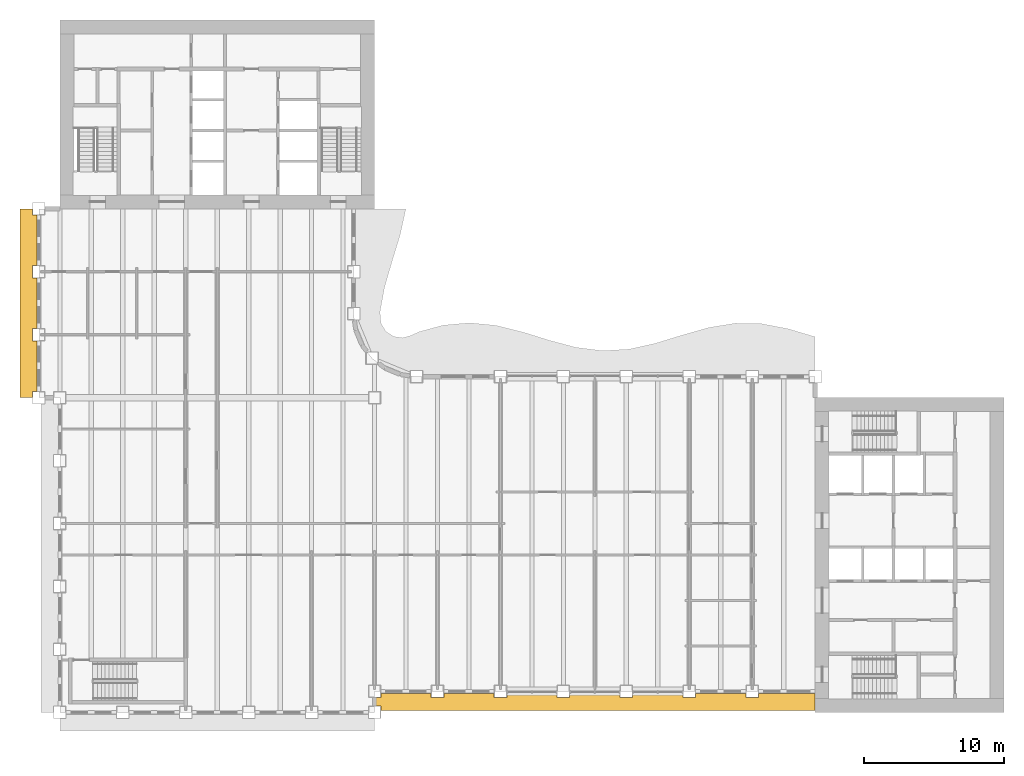
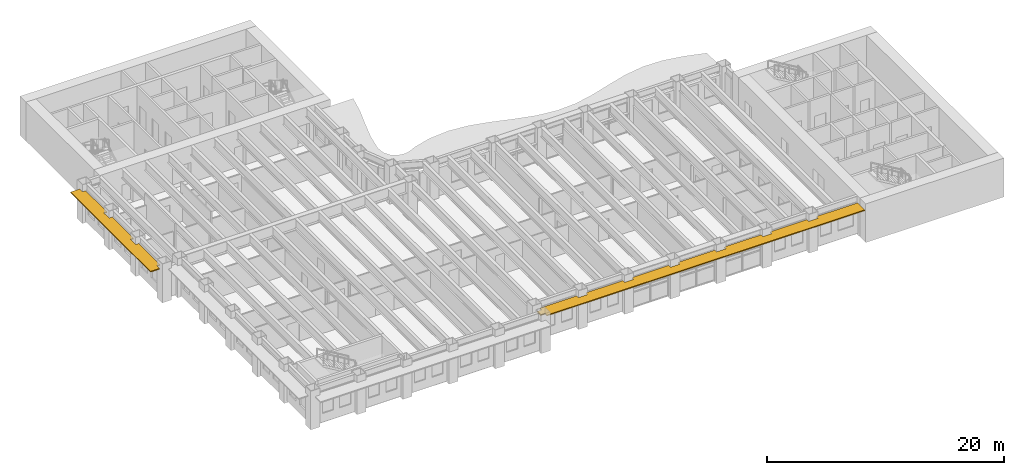
# One storey, part 13 of 17: 2 shading devices.
"""IFC4 building model written with IfcOpenShell, lengths in metres."""

from ifc_helpers import new_model, si_unit, direction, frame, origin, place, context, subcontext, project, spatial, polyline, outline, extrude, material, layer, layer_set, type_object, element, save


model = new_model("IFC4")

# Units and contexts
model_context = context("Model", 3, precision=1e-05, world=origin(), true_north=direction((0.0, 1.0)))
body_context = subcontext(model_context, "Body", "Model", "MODEL_VIEW")
ifc_project = project(units=[si_unit("LENGTHUNIT", "METRE"), si_unit("AREAUNIT", "SQUARE_METRE"), si_unit("VOLUMEUNIT", "CUBIC_METRE"), si_unit("PLANEANGLEUNIT", "RADIAN"), si_unit("MASSUNIT", "GRAM", prefix="KILO")], contexts=[model_context])

# Site, building, storey
site_placement = place(None, origin())
site = spatial("IfcSite", under=ifc_project, at=site_placement, CompositionType="ELEMENT")
building_placement = place(site_placement, origin())
building = spatial("IfcBuilding", under=site, at=building_placement, Name="Sennacour Bend Tower", CompositionType="ELEMENT")
storey_placement = place(building_placement, frame((0.0, 0.0, 155.0)))
storey = spatial("IfcBuildingStorey", under=building, at=storey_placement, Name="L35", CompositionType="ELEMENT", Elevation=155.0)

# Shading devices
ifc_material = material(Name="Bronze anodised aluminium", Category="aluminium")
ifc_layer = layer(ifc_material, 0.10009765625, Name="Bronze anodised aluminium", Category="aluminium")
ifc_layer_set = layer_set([ifc_layer], Name="Bronze anodised aluminium")
shading_device_type = type_object("IfcShadingDeviceType", Name="SUNSHADE BAND STRAIGHT", PredefinedType="USERDEFINED", material=ifc_layer_set)
shading_device_1_placement = place(storey_placement, frame((0.0, 0.0, 3.049072265625)))
element("IfcShadingDevice", 1, at=shading_device_1_placement, inside=storey, type_object=shading_device_type, Name="Sunshade band L35 A outer face", ObjectType="SUNSHADE", PredefinedType="USERDEFINED", context=body_context, shape_type="SweptSolid", body=[
    extrude(outline(polyline([(26.550048828125, 1.35009765625), (26.550048828125, 1.050048828125), (27.449951171875, 1.050048828125), (27.449951171875, 1.35009765625), (31.050048828125, 1.35009765625), (31.050048828125, 1.050048828125), (31.949951171875, 1.050048828125), (31.949951171875, 1.35009765625), (35.550048828125, 1.35009765625), (35.550048828125, 1.050048828125), (36.449951171875, 1.050048828125), (36.449951171875, 1.35009765625), (40.050048828125, 1.35009765625), (40.050048828125, 1.050048828125), (40.949951171875, 1.050048828125), (40.949951171875, 1.35009765625), (44.550048828125, 1.35009765625), (44.550048828125, 1.050048828125), (45.449951171875, 1.050048828125), (45.449951171875, 1.35009765625), (49.050048828125, 1.35009765625), (49.050048828125, 1.050048828125), (49.949951171875, 1.050048828125), (49.949951171875, 1.35009765625), (54.0, 1.35009765625), (54.0, 0.14990234375), (22.949951171875, 0.14990234375), (22.949951171875, 0.449951171875), (22.5, 0.449951171875), (22.5, 1.050048828125), (22.949951171875, 1.050048828125), (22.949951171875, 1.35009765625), (26.550048828125, 1.35009765625)])), origin(), (0.0, 0.0, 1.0), 0.099853515625),
])
shading_device_2_placement = place(storey_placement, frame((0.0, 0.0, 3.049072265625)))
element("IfcShadingDevice", 2, at=shading_device_2_placement, inside=storey, type_object=shading_device_type, Name="Sunshade band L35 B outer face", ObjectType="SUNSHADE", PredefinedType="USERDEFINED", context=body_context, shape_type="SweptSolid", body=[
    extrude(outline(polyline([(-1.64990234375, 31.949951171875), (-1.949951171875, 31.949951171875), (-1.949951171875, 31.050048828125), (-1.64990234375, 31.050048828125), (-1.64990234375, 27.449951171875), (-1.949951171875, 27.449951171875), (-1.949951171875, 26.550048828125), (-1.64990234375, 26.550048828125), (-1.64990234375, 22.949951171875), (-1.949951171875, 22.949951171875), (-1.949951171875, 22.5), (-2.85009765625, 22.5), (-2.85009765625, 36.0), (-1.949951171875, 36.0), (-1.949951171875, 35.550048828125), (-1.64990234375, 35.550048828125), (-1.64990234375, 31.949951171875)])), origin(), (0.0, 0.0, 1.0), 0.099853515625),
])

save(model, "model.ifc")
